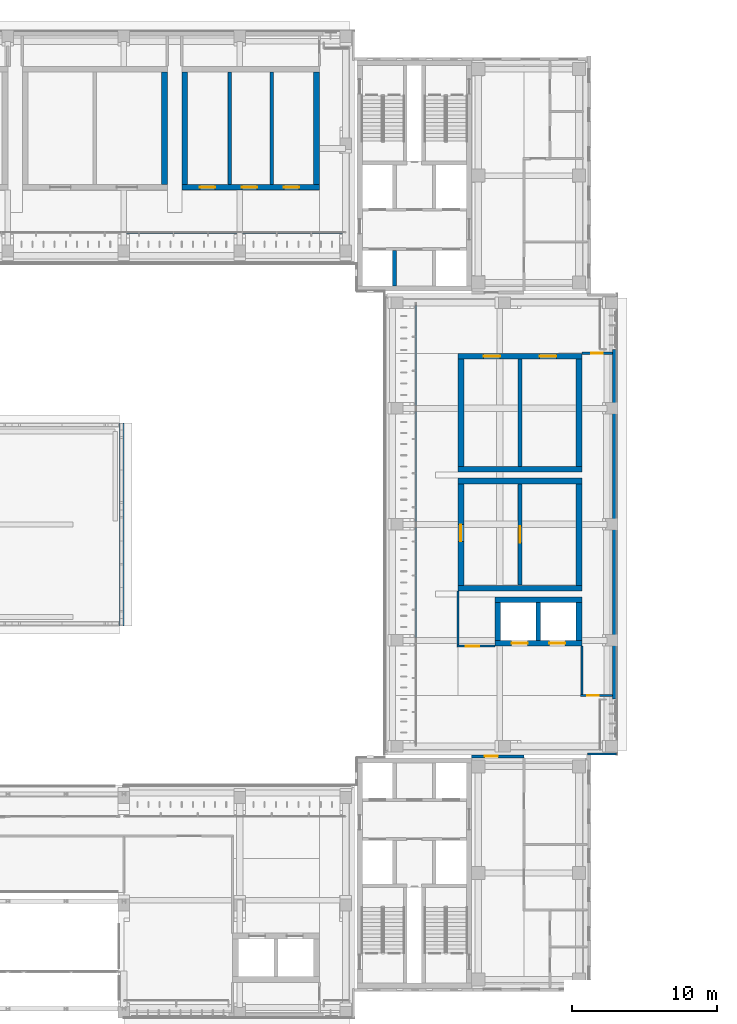
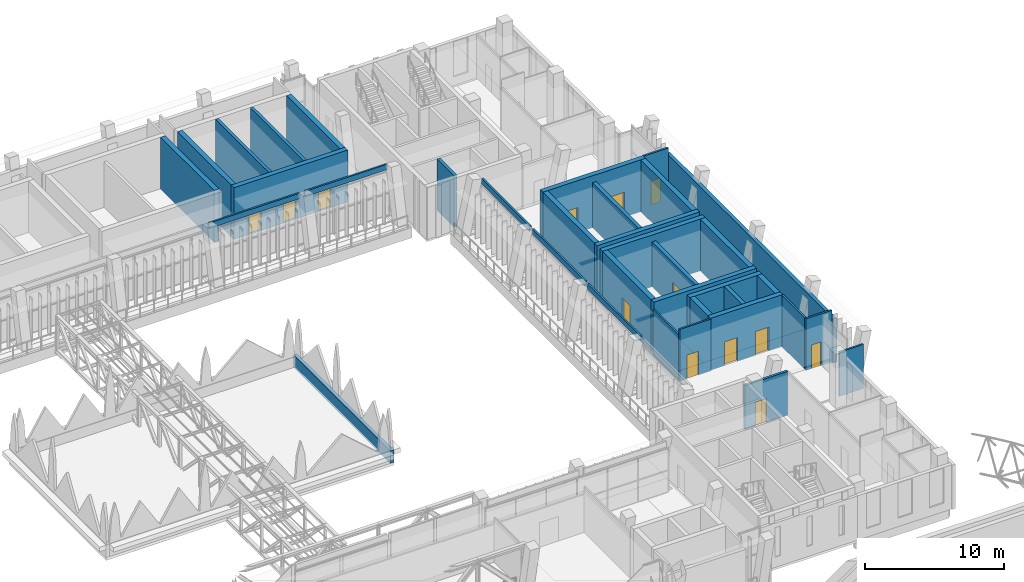
# One storey, part 113 of 141: 36 walls, 13 doors, 13 openings.
"""IFC4 building model written with IfcOpenShell, lengths in metres."""

import ifcopenshell
import ifcopenshell.guid

model = None  # the IFC model being written
_history = None  # IfcOwnerHistory: only IFC2X3 demands one
_inside = {}  # id of a spatial element -> (the spatial element, [elements in it])
_under = {}  # id of a project, library or spatial element -> (it, [spatial elements below it])
_declared = {}  # id of a project -> (the project, [libraries it declares])
_typed = {}  # id of a type object -> (the type object, [elements of that type])
_made_of = {}  # id of a material, layer set ... -> (it, [elements and type objects made of it])


def new_model(schema):
    """Start an empty IFC model of exactly this schema.

    Asked for "IFC4X3", IfcOpenShell would pick the latest addendum, in which some entities
    have other attributes; the version numbers below select the first issue.
    IFC2X3 requires an IfcOwnerHistory on every rooted entity: one is made here for all.
    """
    global model, _history
    if schema == "IFC4X3":
        model = ifcopenshell.file(schema_version=(4, 3, 0, 0))
    else:
        model = ifcopenshell.file(schema=schema)
    _inside.clear()
    _under.clear()
    _declared.clear()
    _typed.clear()
    _made_of.clear()
    _history = None
    if model.schema == "IFC2X3":
        org = make("IfcOrganization", Name="unknown")
        user = make(
            "IfcPersonAndOrganization",
            ThePerson=make("IfcPerson", FamilyName="unknown"),
            TheOrganization=org,
        )
        app = make(
            "IfcApplication",
            ApplicationDeveloper=org,
            Version="unknown",
            ApplicationFullName="unknown",
            ApplicationIdentifier="unknown",
        )
        _history = make(
            "IfcOwnerHistory",
            OwningUser=user,
            OwningApplication=app,
            ChangeAction="ADDED",
            CreationDate=0,
        )
    return model


def make(cls, **values):
    """One entity of the class cls with the attributes given. An attribute that is None is left unset."""
    return model.create_entity(
        cls, **{name: value for name, value in values.items() if value is not None}
    )


def rooted(cls, **values):
    """An entity with a GlobalId (a new one), such as an element, a storey or a relation."""
    return make(cls, GlobalId=ifcopenshell.guid.new(), OwnerHistory=_history, **values)


def si_unit(unit_type, name, prefix=None):
    """IfcSIUnit, for example si_unit("LENGTHUNIT", "METRE", prefix="MILLI")."""
    return make("IfcSIUnit", UnitType=unit_type, Prefix=prefix, Name=name)


def assignment(units):
    """IfcUnitAssignment: the units of a project."""
    return None if units is None else make("IfcUnitAssignment", Units=units)


def point(xyz):
    """IfcCartesianPoint."""
    return None if xyz is None else make("IfcCartesianPoint", Coordinates=xyz)


def direction(xyz):
    """IfcDirection."""
    return None if xyz is None else make("IfcDirection", DirectionRatios=xyz)


def frame(location, z_axis=None, x_axis=None):
    """IfcAxis2Placement3D, a coordinate frame: its origin and axes. An axis left out is left unset."""
    return make(
        "IfcAxis2Placement3D",
        Location=point(location),
        Axis=direction(z_axis),
        RefDirection=direction(x_axis),
    )


def frame_2d(location, x_axis=None):
    """IfcAxis2Placement2D, a coordinate frame in the plane: its origin and x axis."""
    return make(
        "IfcAxis2Placement2D", Location=point(location), RefDirection=direction(x_axis)
    )


def origin():
    """The frame at (0, 0, 0) with its axes left unset."""
    return frame((0.0, 0.0, 0.0))


def place(relative_to, where):
    """IfcLocalPlacement: puts the frame where relative to a parent placement (None: the world)."""
    return make(
        "IfcLocalPlacement", PlacementRelTo=relative_to, RelativePlacement=where
    )


def context(
    kind, dimensions, precision=None, world=None, true_north=None, identifier=None
):
    """IfcGeometricRepresentationContext, for example the 3D "Model" context."""
    return make(
        "IfcGeometricRepresentationContext",
        ContextIdentifier=identifier,
        ContextType=kind,
        CoordinateSpaceDimension=dimensions,
        Precision=precision,
        WorldCoordinateSystem=world,
        TrueNorth=true_north,
    )


def subcontext(parent, identifier, kind, view, scale=None):
    """IfcGeometricRepresentationSubContext, for example "Body" below "Model"."""
    return make(
        "IfcGeometricRepresentationSubContext",
        ContextIdentifier=identifier,
        ContextType=kind,
        ParentContext=parent,
        TargetScale=scale,
        TargetView=view,
    )


def project(units=None, contexts=None):
    """IfcProject with its units and contexts."""
    return rooted(
        "IfcProject",
        Name="project",
        RepresentationContexts=contexts,
        UnitsInContext=assignment(units),
    )


def spatial(cls, under=None, at=None, **own):
    """A site, building, storey or space (cls), placed at a placement, below another one or the project."""
    s = rooted(cls, ObjectPlacement=at, **own)
    if under is not None:
        _under.setdefault(under.id(), (under, []))[1].append(s)
    return s


def profile(cls, at=None, kind="AREA", **sizes):
    """A parametric profile (cls). Its sizes go by their IFC names, for example OverallWidth=200.0."""
    return make(cls, ProfileType=kind, Position=at, **sizes)


def rectangle(**sizes):
    """IfcRectangleProfileDef."""
    return profile("IfcRectangleProfileDef", **sizes)


def extrude(swept, where, along, depth):
    """IfcExtrudedAreaSolid: the profile swept, set in the frame where, extruded along a direction by depth."""
    return make(
        "IfcExtrudedAreaSolid",
        SweptArea=swept,
        Position=where,
        ExtrudedDirection=direction(along),
        Depth=depth,
    )


def shape(context_of_items, identifier, shape_type, items):
    """IfcShapeRepresentation: the items that make up one representation, for example the "Body"."""
    return make(
        "IfcShapeRepresentation",
        ContextOfItems=context_of_items,
        RepresentationIdentifier=identifier,
        RepresentationType=shape_type,
        Items=items,
    )


def material(Name=None, Category=None):
    """IfcMaterial."""
    return make("IfcMaterial", Name=Name, Category=Category)


def layer(
    of_material, thickness, ventilated=None, Name=None, Category=None, Priority=None
):
    """IfcMaterialLayer: one layer of a wall or slab, of a material (None: an air gap)."""
    return make(
        "IfcMaterialLayer",
        Material=of_material,
        LayerThickness=thickness,
        IsVentilated=ventilated,
        Name=Name,
        Category=Category,
        Priority=Priority,
    )


def layer_set(layers, Name=None):
    """IfcMaterialLayerSet."""
    return make("IfcMaterialLayerSet", MaterialLayers=layers, LayerSetName=Name)


def made_of(thing, what):
    """Note that an element or type object is made of a material, layer set ...; save() writes the relation."""
    if what is not None:
        _made_of.setdefault(what.id(), (what, []))[1].append(thing)
    return thing


def type_object(cls, material=None, **own):
    """A type object (cls), such as IfcWallType, which elements share."""
    return made_of(rooted(cls, **own), material)


def element(
    cls,
    number,
    at=None,
    inside=None,
    cuts=None,
    type_object=None,
    material=None,
    context=None,
    identifier="Body",
    shape_type=None,
    held_by="IfcProductDefinitionShape",
    body=None,
    shapes=None,
    **own,
):
    """One element of the class cls, such as IfcWall. Its Tag is "e" and its number.

    at: its placement. inside: the storey or other place that contains it. cuts: it is an
    opening in that element (IfcRelVoidsElement). A single representation is given by context,
    identifier, shape_type and body (its items); several are given by shapes. held_by: the class
    of the entity that holds the representations. save() writes the other relations.
    """
    e = rooted(cls, Tag="e%d" % number, ObjectPlacement=at, **own)
    if body is not None:
        shapes = [shape(context, identifier, shape_type, body)]
    if shapes is not None:
        e.Representation = make(held_by, Representations=shapes)
    if inside is not None:
        _inside.setdefault(inside.id(), (inside, []))[1].append(e)
    if cuts is not None:
        rooted(
            "IfcRelVoidsElement", RelatingBuildingElement=cuts, RelatedOpeningElement=e
        )
    if type_object is not None:
        _typed.setdefault(type_object.id(), (type_object, []))[1].append(e)
    return made_of(e, material)


def fill(opening, filler):
    """IfcRelFillsElement: the door or window that sits in an opening."""
    return rooted(
        "IfcRelFillsElement",
        RelatingOpeningElement=opening,
        RelatedBuildingElement=filler,
    )


def aggregate(whole, parts):
    """IfcRelAggregates: a whole, such as a stair, and the parts it consists of."""
    return rooted("IfcRelAggregates", RelatingObject=whole, RelatedObjects=parts)


def save(model, path):
    """Write the relations noted so far, then the file.

    IfcRelAggregates (storeys below a building ...), IfcRelContainedInSpatialStructure (elements
    in a storey), IfcRelDefinesByType, IfcRelAssociatesMaterial and IfcRelDeclares: one each for
    every whole, place, type object, material and project.
    """
    for whole, parts in _under.values():
        aggregate(whole, parts)
    for where, things in _inside.values():
        rooted(
            "IfcRelContainedInSpatialStructure",
            RelatedElements=things,
            RelatingStructure=where,
        )
    for kind, things in _typed.values():
        rooted("IfcRelDefinesByType", RelatedObjects=things, RelatingType=kind)
    for what, things in _made_of.values():
        rooted("IfcRelAssociatesMaterial", RelatedObjects=things, RelatingMaterial=what)
    for by, libraries in _declared.values():
        rooted("IfcRelDeclares", RelatingContext=by, RelatedDefinitions=libraries)
    model.write(path)


model = new_model("IFC4")

# Units and contexts
model_context = context("Model", 3, precision=1e-05, world=origin(), true_north=direction((0.0, 1.0)))
body_context = subcontext(model_context, "Body", "Model", "MODEL_VIEW")
ifc_project = project(units=[si_unit("LENGTHUNIT", "METRE"), si_unit("AREAUNIT", "SQUARE_METRE"), si_unit("VOLUMEUNIT", "CUBIC_METRE"), si_unit("PLANEANGLEUNIT", "RADIAN"), si_unit("MASSUNIT", "GRAM", prefix="KILO")], contexts=[model_context])

# Site, building, storey
site_placement = place(None, origin())
site = spatial("IfcSite", under=ifc_project, at=site_placement, CompositionType="ELEMENT")
building_placement = place(site_placement, origin())
building = spatial("IfcBuilding", under=site, at=building_placement, Name="Lantern Court Media Centre", CompositionType="ELEMENT")
storey_placement = place(building_placement, frame((0.0, 0.0, 9.60009765625)))
storey = spatial("IfcBuildingStorey", under=building, at=storey_placement, Name="L02", CompositionType="ELEMENT", Elevation=9.60009765625)

# Walls
ifc_material_1 = material(Name="Acoustic gypsum board")
ifc_layer_1 = layer(ifc_material_1, 0.25)
ifc_layer_set_1 = layer_set([ifc_layer_1], Name="Acoustic gypsum board")
wall_type_1 = type_object("IfcWallType", Name="Acoustic partition 250", PredefinedType="PARTITIONING", material=ifc_layer_set_1)
for number, where, z_axis, x_axis, name in (
    (1, (71.300048828125, 103.455078125, 0.0), (0.0, 0.0, 1.0), (0.0, 1.0, 0.0), "L02 partition 021"),
    (2, (74.199951171875, 103.455078125, 0.0), (0.0, 0.0, 1.0), (0.0, 1.0, 0.0), "L02 partition 022"),
):
    element("IfcWall", number, at=place(storey_placement, frame(where, z_axis=z_axis, x_axis=x_axis)), inside=storey, type_object=wall_type_1, Name=name, PredefinedType="PARTITIONING", context=body_context, shape_type="SweptSolid", body=[
        extrude(rectangle(XDim=7.739990234375, YDim=0.25, at=frame_2d((3.8701171875, 0.0))), origin(), (0.0, 0.0, 1.0), 4.559814453125),
    ])
ifc_material_2 = material(Name="Insulated rendered blockwork", Category="masonry")
ifc_layer_2 = layer(ifc_material_2, 0.14990234375)
ifc_layer_set_2 = layer_set([ifc_layer_2], Name="Insulated rendered blockwork")
wall_type_2 = type_object("IfcWallType", Name="Head infill wall 150", PredefinedType="SOLIDWALL", material=ifc_layer_set_2)
wall_1_placement = place(storey_placement, frame((64.199951171875, 100.14990234375, 4.099853515625), z_axis=(0.0, 0.0, 1.0), x_axis=(1.0, 0.0, 0.0)))
element("IfcWall", 3, at=wall_1_placement, inside=storey, type_object=wall_type_2, Name="Head infill wall N inner L02", PredefinedType="SOLIDWALL", context=body_context, shape_type="SweptSolid", body=[
    extrude(rectangle(XDim=7.60009765625, YDim=0.14990234375, at=frame_2d((3.800048828125, 0.0))), origin(), (0.0, 0.0, 1.0), 0.47998046875),
])
wall_2_placement = place(storey_placement, frame((72.199951171875, 100.14990234375, 4.099853515625), z_axis=(0.0, 0.0, 1.0), x_axis=(1.0, 0.0, 0.0)))
element("IfcWall", 4, at=wall_2_placement, inside=storey, type_object=wall_type_2, Name="Head infill wall N inner L02", PredefinedType="SOLIDWALL", context=body_context, shape_type="SweptSolid", body=[
    extrude(rectangle(XDim=6.900146484375, YDim=0.14990234375, at=frame_2d((3.4501953125, 0.0))), origin(), (0.0, 0.0, 1.0), 0.47998046875),
])
for number, where, z_axis, x_axis, name in (
    (5, (84.14990234375, 72.199951171875, 4.099853515625), (0.0, 0.0, 1.0), (0.0, 1.0, 0.0), "Head infill wall E inner L02"),
    (6, (84.14990234375, 80.199951171875, 4.099853515625), (0.0, 0.0, 1.0), (0.0, 1.0, 0.0), "Head infill wall E inner L02"),
):
    element("IfcWall", number, at=place(storey_placement, frame(where, z_axis=z_axis, x_axis=x_axis)), inside=storey, type_object=wall_type_2, Name=name, PredefinedType="SOLIDWALL", context=body_context, shape_type="SweptSolid", body=[
        extrude(rectangle(XDim=7.60009765625, YDim=0.14990234375, at=frame_2d((3.800048828125, 0.0))), origin(), (0.0, 0.0, 1.0), 0.47998046875),
    ])
wall_3_placement = place(storey_placement, frame((84.14990234375, 88.199951171875, 4.099853515625), z_axis=(0.0, 0.0, 1.0), x_axis=(0.0, 1.0, 0.0)))
element("IfcWall", 7, at=wall_3_placement, inside=storey, type_object=wall_type_2, Name="Head infill wall E inner L02", PredefinedType="SOLIDWALL", context=body_context, shape_type="SweptSolid", body=[
    extrude(rectangle(XDim=6.900146484375, YDim=0.14990234375, at=frame_2d((3.4501953125, 0.0))), origin(), (0.0, 0.0, 1.0), 0.47998046875),
])
ifc_material_3 = material(Name="Honed limestone cladding on blockwork", Category="masonry")
ifc_layer_3 = layer(ifc_material_3, 0.139892578125)
ifc_layer_set_3 = layer_set([ifc_layer_3], Name="Honed limestone cladding on blockwork")
wall_type_3 = type_object("IfcWallType", Name="Limestone closure wall 140", PredefinedType="SOLIDWALL", material=ifc_layer_set_3)
wall_4_placement = place(storey_placement, frame((96.0, 64.169921875, 0.0), z_axis=(0.0, 0.0, 1.0), x_axis=(1.0, 0.0, 0.0)))
element("IfcWall", 8, at=wall_4_placement, inside=storey, type_object=wall_type_3, Name="Limestone closure wall E-SE L02", PredefinedType="SOLIDWALL", context=body_context, shape_type="SweptSolid", body=[
    extrude(rectangle(XDim=2.0, YDim=0.139892578125, at=frame_2d((1.0, 0.0))), origin(), (0.0, 0.0, 1.0), 3.89990234375),
])
ifc_layer_4 = layer(ifc_material_3, 0.300048828125)
ifc_layer_set_4 = layer_set([ifc_layer_4], Name="Honed limestone cladding on blockwork")
wall_type_4 = type_object("IfcWallType", Name="Limestone flank wall 300", PredefinedType="SOLIDWALL", material=ifc_layer_set_4)
wall_5_placement = place(storey_placement, frame((97.85009765625, 67.949951171875, 0.0), z_axis=(0.0, 0.0, 1.0), x_axis=(0.0, 1.0, 0.0)))
element("IfcWall", 9, at=wall_5_placement, inside=storey, type_object=wall_type_4, Name="Limestone flank wall E outer L02", PredefinedType="SOLIDWALL", context=body_context, shape_type="SweptSolid", body=[
    extrude(rectangle(XDim=24.10009765625, YDim=0.300048828125, at=frame_2d((12.050048828125, 0.0))), origin(), (0.0, 0.0, 1.0), 3.89990234375),
])

# Wall, opening, door
ifc_material_4 = material(Name="Fire-rated gypsum board")
ifc_layer_5 = layer(ifc_material_4, 0.199951171875)
ifc_layer_set_5 = layer_set([ifc_layer_5], Name="Fire-rated gypsum board")
wall_type_5 = type_object("IfcWallType", Name="Movement-joint compartment wall 200", PredefinedType="PARTITIONING", material=ifc_layer_set_5)
wall_6_placement = place(storey_placement, frame((88.0, 64.0, 0.0), z_axis=(0.0, 0.0, 1.0), x_axis=(1.0, 0.0, 0.0)))
wall_6 = element("IfcWall", 10, at=wall_6_placement, inside=storey, type_object=wall_type_5, Name="L02 movement-joint wall 09", PredefinedType="PARTITIONING", context=body_context, shape_type="SweptSolid", body=[
    extrude(rectangle(XDim=3.60009765625, YDim=0.199951171875, at=frame_2d((1.800048828125, 0.0))), origin(), (0.0, 0.0, 1.0), 3.8798828125),
])
opening_1_placement = place(wall_6_placement, frame((0.89990234375, 0.0, 0.0)))
opening_1 = element("IfcOpeningElement", 11, at=opening_1_placement, cuts=wall_6, Name="Opening L02-J09", PredefinedType="OPENING", context=body_context, shape_type="SweptSolid", body=[
    extrude(rectangle(XDim=0.89990234375, YDim=2.10009765625, at=frame_2d((0.449951171875, 1.050048828125))), frame((0.0, 0.10986328125, 0.0), z_axis=(0.0, -1.0, 0.0), x_axis=(1.0, 0.0, 0.0)), (0.0, 0.0, 1.0), 0.219970703125),
])
ifc_material_5 = material(Name="Steel door leaf", Category="steel")
door_type_1 = type_object("IfcDoorType", Name="Movement-joint fire door 900x2100", OperationType="NOTDEFINED", PredefinedType="DOOR", material=ifc_material_5)
door_1_placement = place(opening_1_placement, frame((0.89990234375, 0.0, 0.0), z_axis=(0.0, 0.0, 1.0), x_axis=(-1.0, 0.0, 0.0)))
door_1 = element("IfcDoor", 12, at=door_1_placement, inside=storey, type_object=door_type_1, Name="L02 bar end lobby door 09", OperationType="SINGLE_SWING_LEFT", OverallHeight=2.10009765625, OverallWidth=0.89990234375, PredefinedType="DOOR", context=body_context, shape_type="SweptSolid", body=[
    extrude(rectangle(XDim=0.89990234375, YDim=2.10009765625, at=frame_2d((0.449951171875, 1.050048828125))), frame((0.0, 0.02490234375, 0.0), z_axis=(0.0, -1.0, 0.0), x_axis=(1.0, 0.0, 0.0)), (0.0, 0.0, 1.0), 0.050048828125),
])
fill(opening_1, door_1)

ifc_material_6 = material(Name="Concrete blockwork C20", Category="masonry")
ifc_layer_6 = layer(ifc_material_6, 0.14990234375)
ifc_layer_set_6 = layer_set([ifc_layer_6], Name="Concrete blockwork C20")
wall_type_6 = type_object("IfcWallType", Name="Partition 150 masonry", PredefinedType="PARTITIONING", material=ifc_layer_set_6)
wall_7_placement = place(storey_placement, frame((86.97509765625, 71.60009765625, 0.0), z_axis=(0.0, 0.0, 1.0), x_axis=(1.0, 0.0, 0.0)))
wall_7 = element("IfcWall", 13, at=wall_7_placement, inside=storey, type_object=wall_type_6, Name="L02 partition 030", PredefinedType="PARTITIONING", context=body_context, shape_type="SweptSolid", body=[
    extrude(rectangle(XDim=2.619873046875, YDim=0.14990234375, at=frame_2d((1.31005859375, 0.0))), origin(), (0.0, 0.0, 1.0), 4.559814453125),
])
opening_2_placement = place(wall_7_placement, frame((0.60009765625, 0.0, 0.0)))
opening_2 = element("IfcOpeningElement", 14, at=opening_2_placement, cuts=wall_7, Name="Opening L02-024", PredefinedType="OPENING", context=body_context, shape_type="SweptSolid", body=[
    extrude(rectangle(XDim=0.949951171875, YDim=2.10009765625, at=frame_2d((0.47509765625, 1.050048828125))), frame((0.0, 0.0849609375, 0.0), z_axis=(0.0, -1.0, 0.0), x_axis=(1.0, 0.0, 0.0)), (0.0, 0.0, 1.0), 0.169921875),
])
ifc_material_7 = material(Name="Solid-core timber door leaf", Category="wood")
door_type_2 = type_object("IfcDoorType", Name="Accessible WC door 950x2100", OperationType="NOTDEFINED", PredefinedType="DOOR", material=ifc_material_7)
door_2_placement = place(opening_2_placement, origin())
door_2 = element("IfcDoor", 15, at=door_2_placement, inside=storey, type_object=door_type_2, Name="L02 Accessible WC door", OperationType="SINGLE_SWING_LEFT", OverallHeight=2.10009765625, OverallWidth=0.949951171875, PredefinedType="DOOR", context=body_context, shape_type="SweptSolid", body=[
    extrude(rectangle(XDim=0.949951171875, YDim=2.10009765625, at=frame_2d((0.47509765625, 1.050048828125))), frame((0.0, 0.02490234375, 0.0), z_axis=(0.0, -1.0, 0.0), x_axis=(1.0, 0.0, 0.0)), (0.0, 0.0, 1.0), 0.050048828125),
])
fill(opening_2, door_2)

# Walls
wall_8_placement = place(storey_placement, frame((87.050048828125, 71.675048828125, 0.0), z_axis=(0.0, 0.0, 1.0), x_axis=(0.0, 1.0, 0.0)))
element("IfcWall", 16, at=wall_8_placement, inside=storey, type_object=wall_type_6, Name="L02 partition 033", PredefinedType="PARTITIONING", context=body_context, shape_type="SweptSolid", body=[
    extrude(rectangle(XDim=3.724853515625, YDim=0.14990234375, at=frame_2d((1.8623046875, 0.0))), origin(), (0.0, 0.0, 1.0), 3.97998046875),
])
ifc_material_8 = material(Name="Limestone masonry, insulated", Category="masonry")
ifc_layer_7 = layer(ifc_material_8, 0.300048828125)
ifc_layer_set_7 = layer_set([ifc_layer_7], Name="Limestone masonry, insulated")
wall_type_7 = type_object("IfcWallType", Name="Press box parapet 300", PredefinedType="PARAPET", material=ifc_layer_set_7)
wall_9_placement = place(storey_placement, frame((63.85009765625, 73.0, 0.0), z_axis=(0.0, 0.0, 1.0), x_axis=(0.0, 1.0, 0.0)))
element("IfcWall", 17, at=wall_9_placement, inside=storey, type_object=wall_type_7, Name="Press box roof parapet E", PredefinedType="PARAPET", context=body_context, shape_type="SweptSolid", body=[
    extrude(rectangle(XDim=14.0, YDim=0.300048828125, at=frame_2d((7.0, 0.0))), origin(), (0.0, 0.0, 1.0), 1.099853515625),
])
ifc_material_9 = material(Name="Concrete C40", Category="concrete")
ifc_layer_8 = layer(ifc_material_9, 0.300048828125)
ifc_layer_set_8 = layer_set([ifc_layer_8], Name="Concrete C40")
wall_type_8 = type_object("IfcWallType", Name="RC SHEAR WALL 300", PredefinedType="SHEAR", material=ifc_layer_set_8)
wall_10_placement = place(storey_placement, frame((92.60009765625, 72.0, 0.0), z_axis=(0.0, 0.0, 1.0), x_axis=(0.0, 1.0, 0.0)))
element("IfcWall", 18, at=wall_10_placement, inside=storey, type_object=wall_type_8, Name="WB-E-LC-L02-D", PredefinedType="SHEAR", context=body_context, shape_type="SweptSolid", body=[
    extrude(rectangle(XDim=2.60009765625, YDim=0.300048828125, at=frame_2d((1.300048828125, 0.0))), origin(), (0.0, 0.0, 1.0), 4.579833984375),
])

# Wall, openings, doors
ifc_layer_9 = layer(ifc_material_9, 0.39990234375)
ifc_layer_set_9 = layer_set([ifc_layer_9], Name="Concrete C40")
wall_type_9 = type_object("IfcWallType", Name="RC SHEAR WALL 400", PredefinedType="SHEAR", material=ifc_layer_set_9)
wall_11_placement = place(storey_placement, frame((89.60009765625, 71.800048828125, 0.0), z_axis=(0.0, 0.0, 1.0), x_axis=(1.0, 0.0, 0.0)))
wall_11 = element("IfcWall", 19, at=wall_11_placement, inside=storey, type_object=wall_type_9, Name="WB-E-LC-L02-S", PredefinedType="SHEAR", context=body_context, shape_type="SweptSolid", body=[
    extrude(rectangle(XDim=6.0, YDim=0.39990234375, at=frame_2d((3.0, 0.0))), origin(), (0.0, 0.0, 1.0), 4.579833984375),
])
opening_3_placement = place(wall_11_placement, frame((1.14990234375, 0.0, 0.0)))
opening_3 = element("IfcOpeningElement", 20, at=opening_3_placement, cuts=wall_11, Name="Opening LD-E-LCP-L02", PredefinedType="OPENING", context=body_context, shape_type="SweptSolid", body=[
    extrude(rectangle(XDim=1.10009765625, YDim=2.10009765625, at=frame_2d((0.550048828125, 1.050048828125))), frame((0.0, 0.2099609375, 0.0), z_axis=(0.0, -1.0, 0.0), x_axis=(1.0, 0.0, 0.0)), (0.0, 0.0, 1.0), 0.419921875),
])
opening_4_placement = place(wall_11_placement, frame((3.75, 0.0, 0.0)))
opening_4 = element("IfcOpeningElement", 21, at=opening_4_placement, cuts=wall_11, Name="Opening LD-E-LCS-L02", PredefinedType="OPENING", context=body_context, shape_type="SweptSolid", body=[
    extrude(rectangle(XDim=1.10009765625, YDim=2.10009765625, at=frame_2d((0.550048828125, 1.050048828125))), frame((0.0, 0.2099609375, 0.0), z_axis=(0.0, -1.0, 0.0), x_axis=(1.0, 0.0, 0.0)), (0.0, 0.0, 1.0), 0.419921875),
])
door_type_3 = type_object("IfcDoorType", Name="Lift landing door 1100x2100", OperationType="DOUBLE_DOOR_SLIDING", PredefinedType="DOOR", material=ifc_material_5)
door_3_placement = place(opening_3_placement, frame((1.10009765625, 0.0, 0.0), z_axis=(0.0, 0.0, 1.0), x_axis=(-1.0, 0.0, 0.0)))
door_3 = element("IfcDoor", 22, at=door_3_placement, inside=storey, type_object=door_type_3, Name="L02 E-LC passenger lift landing door", OperationType="DOUBLE_DOOR_SLIDING", OverallHeight=2.10009765625, OverallWidth=1.10009765625, PredefinedType="DOOR", context=body_context, shape_type="SweptSolid", body=[
    extrude(rectangle(XDim=1.10009765625, YDim=2.10009765625, at=frame_2d((0.550048828125, 1.050048828125))), frame((0.0, 0.02490234375, 0.0), z_axis=(0.0, -1.0, 0.0), x_axis=(1.0, 0.0, 0.0)), (0.0, 0.0, 1.0), 0.050048828125),
])
fill(opening_3, door_3)
door_4_placement = place(opening_4_placement, frame((1.10009765625, 0.0, 0.0), z_axis=(0.0, 0.0, 1.0), x_axis=(-1.0, 0.0, 0.0)))
door_4 = element("IfcDoor", 23, at=door_4_placement, inside=storey, type_object=door_type_3, Name="L02 E-LC service lift landing door", OperationType="DOUBLE_DOOR_SLIDING", OverallHeight=2.10009765625, OverallWidth=1.10009765625, PredefinedType="DOOR", context=body_context, shape_type="SweptSolid", body=[
    extrude(rectangle(XDim=1.10009765625, YDim=2.10009765625, at=frame_2d((0.550048828125, 1.050048828125))), frame((0.0, 0.02490234375, 0.0), z_axis=(0.0, -1.0, 0.0), x_axis=(1.0, 0.0, 0.0)), (0.0, 0.0, 1.0), 0.050048828125),
])
fill(opening_4, door_4)

# Walls
wall_12_placement = place(storey_placement, frame((89.60009765625, 74.800048828125, 0.0), z_axis=(0.0, 0.0, 1.0), x_axis=(1.0, 0.0, 0.0)))
element("IfcWall", 24, at=wall_12_placement, inside=storey, type_object=wall_type_9, Name="WB-E-LC-L02-N", PredefinedType="SHEAR", context=body_context, shape_type="SweptSolid", body=[
    extrude(rectangle(XDim=6.0, YDim=0.39990234375, at=frame_2d((3.0, 0.0))), origin(), (0.0, 0.0, 1.0), 4.579833984375),
])
for number, where, z_axis, x_axis, name in (
    (25, (89.800048828125, 72.0, 0.0), (0.0, 0.0, 1.0), (0.0, 1.0, 0.0), "WB-E-LC-L02-W"),
    (26, (95.39990234375, 72.0, 0.0), (0.0, 0.0, 1.0), (0.0, 1.0, 0.0), "WB-E-LC-L02-E"),
):
    element("IfcWall", number, at=place(storey_placement, frame(where, z_axis=z_axis, x_axis=x_axis)), inside=storey, type_object=wall_type_9, Name=name, PredefinedType="SHEAR", context=body_context, shape_type="SweptSolid", body=[
        extrude(rectangle(XDim=2.60009765625, YDim=0.39990234375, at=frame_2d((1.300048828125, 0.0))), origin(), (0.0, 0.0, 1.0), 4.579833984375),
    ])
for number, where, z_axis, x_axis, name in (
    (27, (87.050048828125, 75.60009765625, 0.0), (0.0, 0.0, 1.0), (1.0, 0.0, 0.0), "WB-E-REC1-L02-S"),
    (28, (87.050048828125, 83.0, 0.0), (0.0, 0.0, 1.0), (1.0, 0.0, 0.0), "WB-E-REC1-L02-N"),
):
    element("IfcWall", number, at=place(storey_placement, frame(where, z_axis=z_axis, x_axis=x_axis)), inside=storey, type_object=wall_type_9, Name=name, PredefinedType="SHEAR", context=body_context, shape_type="SweptSolid", body=[
        extrude(rectangle(XDim=8.550048828125, YDim=0.39990234375, at=frame_2d((4.27490234375, 0.0))), origin(), (0.0, 0.0, 1.0), 4.579833984375),
    ])

# Wall, opening, door
wall_13_placement = place(storey_placement, frame((87.25, 75.800048828125, 0.0), z_axis=(0.0, 0.0, 1.0), x_axis=(0.0, 1.0, 0.0)))
wall_13 = element("IfcWall", 29, at=wall_13_placement, inside=storey, type_object=wall_type_9, Name="WB-E-REC1-L02-W", PredefinedType="SHEAR", context=body_context, shape_type="SweptSolid", body=[
    extrude(rectangle(XDim=7.0, YDim=0.39990234375, at=frame_2d((3.5, 0.0))), origin(), (0.0, 0.0, 1.0), 4.579833984375),
])
opening_5_placement = place(wall_13_placement, frame((3.02587890625, 0.0, 0.0)))
opening_5 = element("IfcOpeningElement", 30, at=opening_5_placement, cuts=wall_13, Name="Opening L02-026", PredefinedType="OPENING", context=body_context, shape_type="SweptSolid", body=[
    extrude(rectangle(XDim=1.14990234375, YDim=2.199951171875, at=frame_2d((0.574951171875, 1.10009765625))), frame((0.0, 0.2099609375, 0.0), z_axis=(0.0, -1.0, 0.0), x_axis=(1.0, 0.0, 0.0)), (0.0, 0.0, 1.0), 0.419921875),
])
ifc_material_10 = material(Name="Acoustic timber door leaf", Category="wood")
door_type_4 = type_object("IfcDoorType", Name="Recording booth sound-lock door 1150x2200", OperationType="NOTDEFINED", PredefinedType="DOOR", material=ifc_material_10)
door_5_placement = place(opening_5_placement, frame((1.14990234375, 0.0, 0.0), z_axis=(0.0, 0.0, 1.0), x_axis=(-1.0, 0.0, 0.0)))
door_5 = element("IfcDoor", 31, at=door_5_placement, inside=storey, type_object=door_type_4, Name="L02 Recording Studio 01 door", OperationType="SINGLE_SWING_LEFT", OverallHeight=2.199951171875, OverallWidth=1.14990234375, PredefinedType="DOOR", context=body_context, shape_type="SweptSolid", body=[
    extrude(rectangle(XDim=1.14990234375, YDim=2.199951171875, at=frame_2d((0.574951171875, 1.10009765625))), frame((0.0, 0.02490234375, 0.0), z_axis=(0.0, -1.0, 0.0), x_axis=(1.0, 0.0, 0.0)), (0.0, 0.0, 1.0), 0.050048828125),
])
fill(opening_5, door_5)

# Walls
wall_14_placement = place(storey_placement, frame((95.39990234375, 75.800048828125, 0.0), z_axis=(0.0, 0.0, 1.0), x_axis=(0.0, 1.0, 0.0)))
element("IfcWall", 32, at=wall_14_placement, inside=storey, type_object=wall_type_9, Name="WB-E-REC1-L02-E", PredefinedType="SHEAR", context=body_context, shape_type="SweptSolid", body=[
    extrude(rectangle(XDim=7.0, YDim=0.39990234375, at=frame_2d((3.5, 0.0))), origin(), (0.0, 0.0, 1.0), 4.579833984375),
])
wall_15_placement = place(storey_placement, frame((87.050048828125, 83.800048828125, 0.0), z_axis=(0.0, 0.0, 1.0), x_axis=(1.0, 0.0, 0.0)))
element("IfcWall", 33, at=wall_15_placement, inside=storey, type_object=wall_type_9, Name="WB-E-REC2-L02-S", PredefinedType="SHEAR", context=body_context, shape_type="SweptSolid", body=[
    extrude(rectangle(XDim=8.550048828125, YDim=0.39990234375, at=frame_2d((4.27490234375, 0.0))), origin(), (0.0, 0.0, 1.0), 4.579833984375),
])

# Wall, openings, doors
wall_16_placement = place(storey_placement, frame((87.050048828125, 91.60009765625, 0.0), z_axis=(0.0, 0.0, 1.0), x_axis=(1.0, 0.0, 0.0)))
wall_16 = element("IfcWall", 34, at=wall_16_placement, inside=storey, type_object=wall_type_9, Name="WB-E-REC2-L02-N", PredefinedType="SHEAR", context=body_context, shape_type="SweptSolid", body=[
    extrude(rectangle(XDim=8.550048828125, YDim=0.39990234375, at=frame_2d((4.27490234375, 0.0))), origin(), (0.0, 0.0, 1.0), 4.579833984375),
])
opening_6_placement = place(wall_16_placement, frame((1.762451171875, 0.0, 0.0)))
opening_6 = element("IfcOpeningElement", 35, at=opening_6_placement, cuts=wall_16, Name="Opening L02-028", PredefinedType="OPENING", context=body_context, shape_type="SweptSolid", body=[
    extrude(rectangle(XDim=1.14990234375, YDim=2.199951171875, at=frame_2d((0.574951171875, 1.10009765625))), frame((0.0, 0.2099609375, 0.0), z_axis=(0.0, -1.0, 0.0), x_axis=(1.0, 0.0, 0.0)), (0.0, 0.0, 1.0), 0.419921875),
])
opening_7_placement = place(wall_16_placement, frame((5.637451171875, 0.0, 0.0)))
opening_7 = element("IfcOpeningElement", 36, at=opening_7_placement, cuts=wall_16, Name="Opening L02-029", PredefinedType="OPENING", context=body_context, shape_type="SweptSolid", body=[
    extrude(rectangle(XDim=1.14990234375, YDim=2.199951171875, at=frame_2d((0.574951171875, 1.10009765625))), frame((0.0, 0.2099609375, 0.0), z_axis=(0.0, -1.0, 0.0), x_axis=(1.0, 0.0, 0.0)), (0.0, 0.0, 1.0), 0.419921875),
])
door_6_placement = place(opening_6_placement, frame((1.14990234375, 0.0, 0.0), z_axis=(0.0, 0.0, 1.0), x_axis=(-1.0, 0.0, 0.0)))
door_6 = element("IfcDoor", 37, at=door_6_placement, inside=storey, type_object=door_type_4, Name="L02 Recording Studio 02 door", OperationType="SINGLE_SWING_LEFT", OverallHeight=2.199951171875, OverallWidth=1.14990234375, PredefinedType="DOOR", context=body_context, shape_type="SweptSolid", body=[
    extrude(rectangle(XDim=1.14990234375, YDim=2.199951171875, at=frame_2d((0.574951171875, 1.10009765625))), frame((0.0, 0.02490234375, 0.0), z_axis=(0.0, -1.0, 0.0), x_axis=(1.0, 0.0, 0.0)), (0.0, 0.0, 1.0), 0.050048828125),
])
fill(opening_6, door_6)
door_7_placement = place(opening_7_placement, frame((1.14990234375, 0.0, 0.0), z_axis=(0.0, 0.0, 1.0), x_axis=(-1.0, 0.0, 0.0)))
door_7 = element("IfcDoor", 38, at=door_7_placement, inside=storey, type_object=door_type_4, Name="L02 Recording Control Room 02 door", OperationType="SINGLE_SWING_RIGHT", OverallHeight=2.199951171875, OverallWidth=1.14990234375, PredefinedType="DOOR", context=body_context, shape_type="SweptSolid", body=[
    extrude(rectangle(XDim=1.14990234375, YDim=2.199951171875, at=frame_2d((0.574951171875, 1.10009765625))), frame((0.0, 0.02490234375, 0.0), z_axis=(0.0, -1.0, 0.0), x_axis=(1.0, 0.0, 0.0)), (0.0, 0.0, 1.0), 0.050048828125),
])
fill(opening_7, door_7)

# Walls
for number, where, z_axis, x_axis, name in (
    (39, (87.25, 84.0, 0.0), (0.0, 0.0, 1.0), (0.0, 1.0, 0.0), "WB-E-REC2-L02-W"),
    (40, (95.39990234375, 84.0, 0.0), (0.0, 0.0, 1.0), (0.0, 1.0, 0.0), "WB-E-REC2-L02-E"),
):
    element("IfcWall", number, at=place(storey_placement, frame(where, z_axis=z_axis, x_axis=x_axis)), inside=storey, type_object=wall_type_9, Name=name, PredefinedType="SHEAR", context=body_context, shape_type="SweptSolid", body=[
        extrude(rectangle(XDim=7.39990234375, YDim=0.39990234375, at=frame_2d((3.699951171875, 0.0))), origin(), (0.0, 0.0, 1.0), 4.579833984375),
    ])
wall_17_placement = place(storey_placement, frame((66.800048828125, 103.449951171875, 0.0), z_axis=(0.0, 0.0, 1.0), x_axis=(0.0, 1.0, 0.0)))
element("IfcWall", 41, at=wall_17_placement, inside=storey, type_object=wall_type_9, Name="WB-N-SRV-L02-E", PredefinedType="SHEAR", context=body_context, shape_type="SweptSolid", body=[
    extrude(rectangle(XDim=7.75, YDim=0.39990234375, at=frame_2d((3.875, 0.0))), origin(), (0.0, 0.0, 1.0), 4.579833984375),
])

# Wall, openings, doors
wall_18_placement = place(storey_placement, frame((68.0, 103.25, 0.0), z_axis=(0.0, 0.0, 1.0), x_axis=(1.0, 0.0, 0.0)))
wall_18 = element("IfcWall", 42, at=wall_18_placement, inside=storey, type_object=wall_type_9, Name="WB-N-EDB-L02-S", PredefinedType="SHEAR", context=body_context, shape_type="SweptSolid", body=[
    extrude(rectangle(XDim=9.5, YDim=0.39990234375, at=frame_2d((4.75, 0.0))), origin(), (0.0, 0.0, 1.0), 4.579833984375),
])
opening_8_placement = place(wall_18_placement, frame((1.25, 0.0, 0.0)))
opening_8 = element("IfcOpeningElement", 43, at=opening_8_placement, cuts=wall_18, Name="Opening L02-015", PredefinedType="OPENING", context=body_context, shape_type="SweptSolid", body=[
    extrude(rectangle(XDim=1.050048828125, YDim=2.199951171875, at=frame_2d((0.52490234375, 1.10009765625))), frame((0.0, 0.2099609375, 0.0), z_axis=(0.0, -1.0, 0.0), x_axis=(1.0, 0.0, 0.0)), (0.0, 0.0, 1.0), 0.419921875),
])
opening_9_placement = place(wall_18_placement, frame((4.14990234375, 0.0, 0.0)))
opening_9 = element("IfcOpeningElement", 44, at=opening_9_placement, cuts=wall_18, Name="Opening L02-016", PredefinedType="OPENING", context=body_context, shape_type="SweptSolid", body=[
    extrude(rectangle(XDim=1.050048828125, YDim=2.199951171875, at=frame_2d((0.52490234375, 1.10009765625))), frame((0.0, 0.2099609375, 0.0), z_axis=(0.0, -1.0, 0.0), x_axis=(1.0, 0.0, 0.0)), (0.0, 0.0, 1.0), 0.419921875),
])
opening_10_placement = place(wall_18_placement, frame((7.050048828125, 0.0, 0.0)))
opening_10 = element("IfcOpeningElement", 45, at=opening_10_placement, cuts=wall_18, Name="Opening L02-017", PredefinedType="OPENING", context=body_context, shape_type="SweptSolid", body=[
    extrude(rectangle(XDim=1.050048828125, YDim=2.199951171875, at=frame_2d((0.52490234375, 1.10009765625))), frame((0.0, 0.2099609375, 0.0), z_axis=(0.0, -1.0, 0.0), x_axis=(1.0, 0.0, 0.0)), (0.0, 0.0, 1.0), 0.419921875),
])
door_type_5 = type_object("IfcDoorType", Name="Edit suite sound-lock door 1050x2200", OperationType="NOTDEFINED", PredefinedType="DOOR", material=ifc_material_10)
door_8_placement = place(opening_8_placement, origin())
door_8 = element("IfcDoor", 46, at=door_8_placement, inside=storey, type_object=door_type_5, Name="L02 Editing Suite 12 door", OperationType="SINGLE_SWING_RIGHT", OverallHeight=2.199951171875, OverallWidth=1.050048828125, PredefinedType="DOOR", context=body_context, shape_type="SweptSolid", body=[
    extrude(rectangle(XDim=1.050048828125, YDim=2.199951171875, at=frame_2d((0.52490234375, 1.10009765625))), frame((0.0, 0.02490234375, 0.0), z_axis=(0.0, -1.0, 0.0), x_axis=(1.0, 0.0, 0.0)), (0.0, 0.0, 1.0), 0.050048828125),
])
fill(opening_8, door_8)
door_9_placement = place(opening_9_placement, origin())
door_9 = element("IfcDoor", 47, at=door_9_placement, inside=storey, type_object=door_type_5, Name="L02 Editing Suite 13 door", OperationType="SINGLE_SWING_LEFT", OverallHeight=2.199951171875, OverallWidth=1.050048828125, PredefinedType="DOOR", context=body_context, shape_type="SweptSolid", body=[
    extrude(rectangle(XDim=1.050048828125, YDim=2.199951171875, at=frame_2d((0.52490234375, 1.10009765625))), frame((0.0, 0.02490234375, 0.0), z_axis=(0.0, -1.0, 0.0), x_axis=(1.0, 0.0, 0.0)), (0.0, 0.0, 1.0), 0.050048828125),
])
fill(opening_9, door_9)
door_10_placement = place(opening_10_placement, origin())
door_10 = element("IfcDoor", 48, at=door_10_placement, inside=storey, type_object=door_type_5, Name="L02 Editing Suite 14 door", OperationType="SINGLE_SWING_RIGHT", OverallHeight=2.199951171875, OverallWidth=1.050048828125, PredefinedType="DOOR", context=body_context, shape_type="SweptSolid", body=[
    extrude(rectangle(XDim=1.050048828125, YDim=2.199951171875, at=frame_2d((0.52490234375, 1.10009765625))), frame((0.0, 0.02490234375, 0.0), z_axis=(0.0, -1.0, 0.0), x_axis=(1.0, 0.0, 0.0)), (0.0, 0.0, 1.0), 0.050048828125),
])
fill(opening_10, door_10)

# Walls
for number, where, z_axis, x_axis, name in (
    (49, (68.199951171875, 103.449951171875, 0.0), (0.0, 0.0, 1.0), (0.0, 1.0, 0.0), "WB-N-EDB-L02-W"),
    (50, (77.300048828125, 103.449951171875, 0.0), (0.0, 0.0, 1.0), (0.0, 1.0, 0.0), "WB-N-EDB-L02-E"),
):
    element("IfcWall", number, at=place(storey_placement, frame(where, z_axis=z_axis, x_axis=x_axis)), inside=storey, type_object=wall_type_9, Name=name, PredefinedType="SHEAR", context=body_context, shape_type="SweptSolid", body=[
        extrude(rectangle(XDim=7.75, YDim=0.39990234375, at=frame_2d((3.875, 0.0))), origin(), (0.0, 0.0, 1.0), 4.579833984375),
    ])
ifc_layer_10 = layer(ifc_material_9, 0.25)
ifc_layer_set_10 = layer_set([ifc_layer_10], Name="Concrete C40")
wall_type_10 = type_object("IfcWallType", Name="RC lift shaft wall 250", PredefinedType="SOLIDWALL", material=ifc_layer_set_10)
wall_19_placement = place(storey_placement, frame((82.675048828125, 98.89990234375, 0.0), z_axis=(0.0, 0.0, 1.0), x_axis=(0.0, -1.0, 0.0)))
element("IfcWall", 51, at=wall_19_placement, inside=storey, type_object=wall_type_10, Name="L02 NE L2b", PredefinedType="SOLIDWALL", context=body_context, shape_type="SweptSolid", body=[
    extrude(rectangle(XDim=2.449951171875, YDim=0.25, at=frame_2d((1.22509765625, 0.0))), origin(), (0.0, 0.0, 1.0), 4.5498046875),
])

# Wall, opening, door
ifc_layer_11 = layer(ifc_material_1, 0.300048828125)
ifc_layer_set_11 = layer_set([ifc_layer_11], Name="Acoustic gypsum board")
wall_type_11 = type_object("IfcWallType", Name="Recording studio acoustic partition 300", PredefinedType="PARTITIONING", material=ifc_layer_set_11)
wall_20_placement = place(storey_placement, frame((91.324951171875, 75.804931640625, 0.0), z_axis=(0.0, 0.0, 1.0), x_axis=(0.0, 1.0, 0.0)))
wall_20 = element("IfcWall", 52, at=wall_20_placement, inside=storey, type_object=wall_type_11, Name="L02 partition 034", PredefinedType="PARTITIONING", context=body_context, shape_type="SweptSolid", body=[
    extrude(rectangle(XDim=6.989990234375, YDim=0.300048828125, at=frame_2d((3.4951171875, 0.0))), origin(), (0.0, 0.0, 1.0), 3.97998046875),
])
opening_11_placement = place(wall_20_placement, frame((2.919921875, 0.0, 0.0)))
opening_11 = element("IfcOpeningElement", 53, at=opening_11_placement, cuts=wall_20, Name="Opening L02-027", PredefinedType="OPENING", context=body_context, shape_type="SweptSolid", body=[
    extrude(rectangle(XDim=1.14990234375, YDim=2.199951171875, at=frame_2d((0.574951171875, 1.10009765625))), frame((0.0, 0.159912109375, 0.0), z_axis=(0.0, -1.0, 0.0), x_axis=(1.0, 0.0, 0.0)), (0.0, 0.0, 1.0), 0.320068359375),
])
door_11_placement = place(opening_11_placement, frame((1.14990234375, 0.0, 0.0), z_axis=(0.0, 0.0, 1.0), x_axis=(-1.0, 0.0, 0.0)))
door_11 = element("IfcDoor", 54, at=door_11_placement, inside=storey, type_object=door_type_4, Name="L02 Recording Control Room 01 door", OperationType="SINGLE_SWING_RIGHT", OverallHeight=2.199951171875, OverallWidth=1.14990234375, PredefinedType="DOOR", context=body_context, shape_type="SweptSolid", body=[
    extrude(rectangle(XDim=1.14990234375, YDim=2.199951171875, at=frame_2d((0.574951171875, 1.10009765625))), frame((0.0, 0.02490234375, 0.0), z_axis=(0.0, -1.0, 0.0), x_axis=(1.0, 0.0, 0.0)), (0.0, 0.0, 1.0), 0.050048828125),
])
fill(opening_11, door_11)

# Wall
wall_21_placement = place(storey_placement, frame((91.324951171875, 84.0048828125, 0.0), z_axis=(0.0, 0.0, 1.0), x_axis=(0.0, 1.0, 0.0)))
element("IfcWall", 55, at=wall_21_placement, inside=storey, type_object=wall_type_11, Name="L02 partition 035", PredefinedType="PARTITIONING", context=body_context, shape_type="SweptSolid", body=[
    extrude(rectangle(XDim=7.39013671875, YDim=0.300048828125, at=frame_2d((3.695068359375, 0.0))), origin(), (0.0, 0.0, 1.0), 3.97998046875),
])

# Wall, opening, door
ifc_layer_12 = layer(ifc_material_4, 0.159912109375)
ifc_layer_set_12 = layer_set([ifc_layer_12], Name="Fire-rated gypsum board")
wall_type_12 = type_object("IfcWallType", Name="Riser shaft liner wall 160", PredefinedType="PARTITIONING", material=ifc_layer_set_12)
wall_22_placement = place(storey_placement, frame((95.52001953125, 68.199951171875, 0.0), z_axis=(0.0, 0.0, 1.0), x_axis=(1.0, 0.0, 0.0)))
wall_22 = element("IfcWall", 56, at=wall_22_placement, inside=storey, type_object=wall_type_12, Name="L02 partition 025", PredefinedType="PARTITIONING", context=body_context, shape_type="SweptSolid", body=[
    extrude(rectangle(XDim=2.175048828125, YDim=0.159912109375, at=frame_2d((1.08740234375, 0.0))), origin(), (0.0, 0.0, 1.0), 4.559814453125),
])
opening_12_placement = place(wall_22_placement, frame((0.455078125, 0.0, 0.0)))
opening_12 = element("IfcOpeningElement", 57, at=opening_12_placement, cuts=wall_22, Name="Opening L02-025", PredefinedType="OPENING", context=body_context, shape_type="SweptSolid", body=[
    extrude(rectangle(XDim=0.800048828125, YDim=2.10009765625, at=frame_2d((0.39990234375, 1.050048828125))), frame((0.0, 0.08984375, 0.0), z_axis=(0.0, -1.0, 0.0), x_axis=(1.0, 0.0, 0.0)), (0.0, 0.0, 1.0), 0.179931640625),
])
door_type_6 = type_object("IfcDoorType", Name="Riser access fire door 800x2100", OperationType="NOTDEFINED", PredefinedType="DOOR", material=ifc_material_5)
door_12_placement = place(opening_12_placement, origin())
door_12 = element("IfcDoor", 58, at=door_12_placement, inside=storey, type_object=door_type_6, Name="L02 Services Duct door", OperationType="SINGLE_SWING_RIGHT", OverallHeight=2.10009765625, OverallWidth=0.800048828125, PredefinedType="DOOR", context=body_context, shape_type="SweptSolid", body=[
    extrude(rectangle(XDim=0.800048828125, YDim=2.10009765625, at=frame_2d((0.39990234375, 1.050048828125))), frame((0.0, 0.02490234375, 0.0), z_axis=(0.0, -1.0, 0.0), x_axis=(1.0, 0.0, 0.0)), (0.0, 0.0, 1.0), 0.050048828125),
])
fill(opening_12, door_12)

wall_23_placement = place(storey_placement, frame((95.60498046875, 91.800048828125, 0.0), z_axis=(0.0, 0.0, 1.0), x_axis=(1.0, 0.0, 0.0)))
wall_23 = element("IfcWall", 59, at=wall_23_placement, inside=storey, type_object=wall_type_12, Name="L02 partition 027", PredefinedType="PARTITIONING", context=body_context, shape_type="SweptSolid", body=[
    extrude(rectangle(XDim=2.090087890625, YDim=0.159912109375, at=frame_2d((1.044921875, 0.0))), origin(), (0.0, 0.0, 1.0), 4.559814453125),
])
opening_13_placement = place(wall_23_placement, frame((0.64501953125, 0.0, 0.0)))
opening_13 = element("IfcOpeningElement", 60, at=opening_13_placement, cuts=wall_23, Name="Opening L02-030", PredefinedType="OPENING", context=body_context, shape_type="SweptSolid", body=[
    extrude(rectangle(XDim=0.800048828125, YDim=2.10009765625, at=frame_2d((0.39990234375, 1.050048828125))), frame((0.0, 0.08984375, 0.0), z_axis=(0.0, -1.0, 0.0), x_axis=(1.0, 0.0, 0.0)), (0.0, 0.0, 1.0), 0.179931640625),
])
door_13_placement = place(opening_13_placement, frame((0.800048828125, 0.0, 0.0), z_axis=(0.0, 0.0, 1.0), x_axis=(-1.0, 0.0, 0.0)))
door_13 = element("IfcDoor", 61, at=door_13_placement, inside=storey, type_object=door_type_6, Name="L02 Services Duct door", OperationType="SINGLE_SWING_LEFT", OverallHeight=2.10009765625, OverallWidth=0.800048828125, PredefinedType="DOOR", context=body_context, shape_type="SweptSolid", body=[
    extrude(rectangle(XDim=0.800048828125, YDim=2.10009765625, at=frame_2d((0.39990234375, 1.050048828125))), frame((0.0, 0.02490234375, 0.0), z_axis=(0.0, -1.0, 0.0), x_axis=(1.0, 0.0, 0.0)), (0.0, 0.0, 1.0), 0.050048828125),
])
fill(opening_13, door_13)

# Wall
wall_24_placement = place(storey_placement, frame((95.60009765625, 68.280029296875, 0.0), z_axis=(0.0, 0.0, 1.0), x_axis=(0.0, 1.0, 0.0)))
element("IfcWall", 62, at=wall_24_placement, inside=storey, type_object=wall_type_12, Name="L02 partition 032", PredefinedType="PARTITIONING", context=body_context, shape_type="SweptSolid", body=[
    extrude(rectangle(XDim=3.31494140625, YDim=0.159912109375, at=frame_2d((1.657470703125, 0.0))), origin(), (0.0, 0.0, 1.0), 4.559814453125),
])

save(model, "model.ifc")
